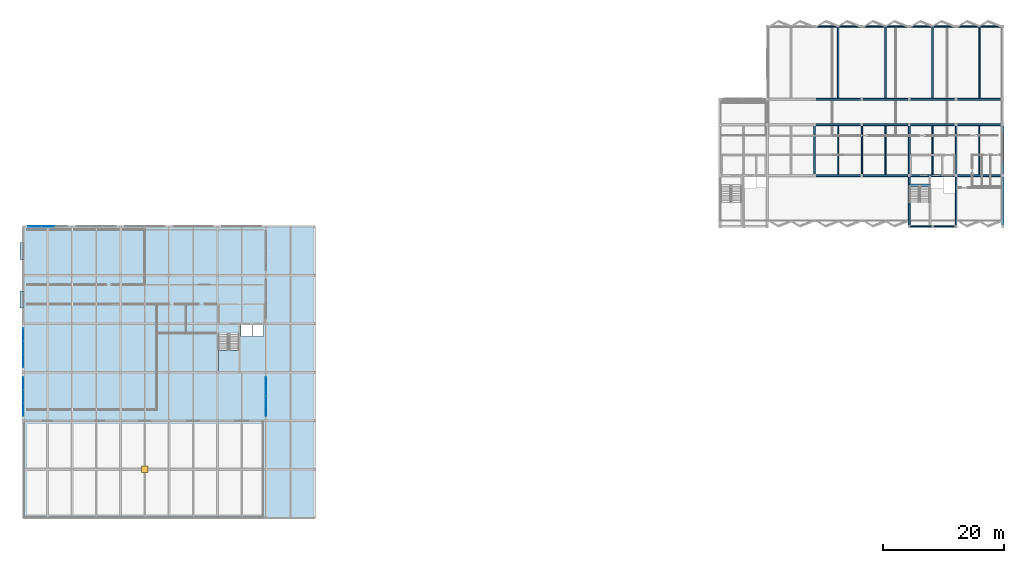
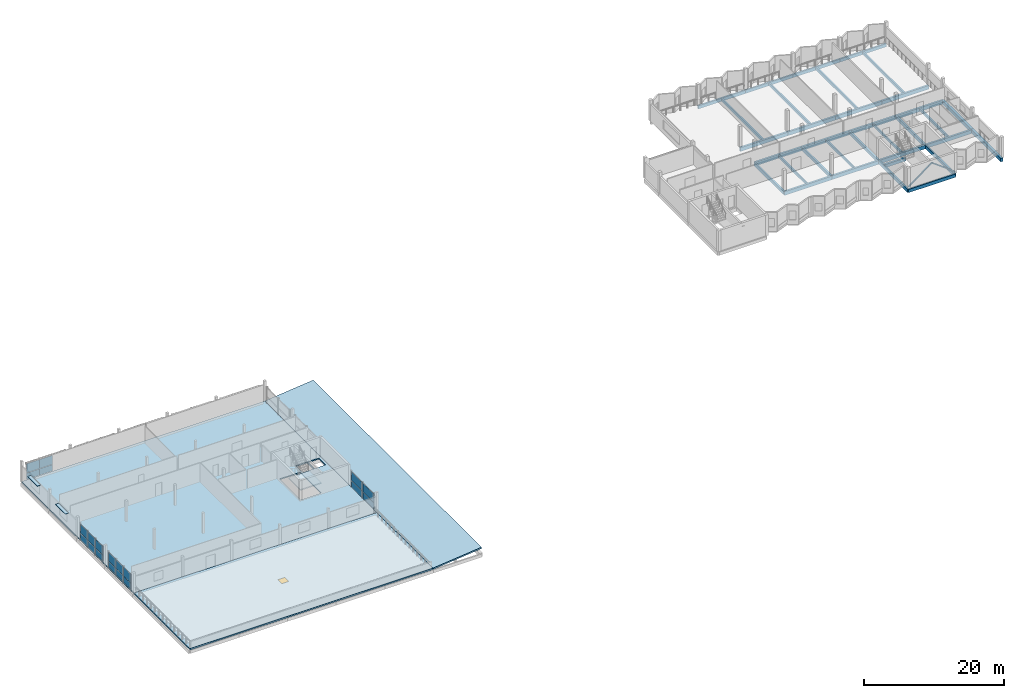
# One storey, part 11 of 25: 34 beams, 22 plates, 4 slabs, 2 members, 1 door, 1 opening, 5 elements without a shape of their own.
"""IFC4 building model written with IfcOpenShell, lengths in metres."""

from ifc_helpers import new_model, si_unit, direction, frame, origin, origin_2d, place, context, subcontext, project, spatial, polyline, rectangle, hollow_rectangle, outline, extrude, material, layer, layer_set, material_profile, profile_set, type_object, element, fill, aggregate, save


model = new_model("IFC4")

# Units and contexts
model_context = context("Model", 3, precision=1e-05, world=origin(), true_north=direction((0.0, 1.0)))
body_context = subcontext(model_context, "Body", "Model", "MODEL_VIEW")
ifc_project = project(units=[si_unit("LENGTHUNIT", "METRE"), si_unit("AREAUNIT", "SQUARE_METRE"), si_unit("VOLUMEUNIT", "CUBIC_METRE"), si_unit("PLANEANGLEUNIT", "RADIAN"), si_unit("MASSUNIT", "GRAM", prefix="KILO")], contexts=[model_context])

# Site, building, storey
site_placement = place(None, origin())
site = spatial("IfcSite", under=ifc_project, at=site_placement, CompositionType="ELEMENT")
building_placement = place(site_placement, origin())
building = spatial("IfcBuilding", under=site, at=building_placement, Name="Vharandega Faculty of Natural Sciences", CompositionType="ELEMENT")
storey_placement = place(building_placement, frame((0.0, 0.0, 25.199951171875)))
storey = spatial("IfcBuildingStorey", under=building, at=storey_placement, Name="L06", CompositionType="ELEMENT", Elevation=25.199951171875)

# Beams
ifc_material_1 = material(Name="Glulam GL28h", Category="wood")
ifc_material_profile_1 = material_profile(ifc_material_1, rectangle(XDim=0.280029296875, YDim=0.56005859375, at=origin_2d()), Name="GL28h 280x560")
ifc_profile_set_1 = profile_set([ifc_material_profile_1], Name="Glulam GL28h")
beam_type_1 = type_object("IfcBeamType", Name="Glulam Floor Beam 280x560", PredefinedType="BEAM", material=ifc_profile_set_1)
for number, where, z_axis, x_axis, name in (
    (1, (130.39990234375, 72.39990234375, -0.5), (0.0, 1.0, 0.0), (-1.0, 0.0, 0.0), "Beam L06 17/K-L"),
    (2, (138.199951171875, 72.39990234375, -0.5), (0.0, 1.0, 0.0), (-1.0, 0.0, 0.0), "Beam L06 18/K-L"),
):
    element("IfcBeam", number, at=place(storey_placement, frame(where, z_axis=z_axis, x_axis=x_axis)), inside=storey, type_object=beam_type_1, Name=name, PredefinedType="BEAM", context=body_context, shape_type="SweptSolid", body=[
        extrude(rectangle(XDim=0.280029296875, YDim=0.56005859375, at=origin_2d()), origin(), (0.0, 0.0, 1.0), 8.400146484375),
    ])
beam_1_placement = place(storey_placement, frame((146.0, 64.0, -0.5), z_axis=(0.0, 1.0, 0.0), x_axis=(-1.0, 0.0, 0.0)))
element("IfcBeam", 3, at=beam_1_placement, inside=storey, type_object=beam_type_1, Name="Beam L06 19/J-K", PredefinedType="BEAM", context=body_context, shape_type="SweptSolid", body=[
    extrude(rectangle(XDim=0.280029296875, YDim=0.56005859375, at=origin_2d()), origin(), (0.0, 0.0, 1.0), 8.39990234375),
])
beam_2_placement = place(storey_placement, frame((146.0, 72.39990234375, -0.5), z_axis=(0.0, 1.0, 0.0), x_axis=(-1.0, 0.0, 0.0)))
element("IfcBeam", 4, at=beam_2_placement, inside=storey, type_object=beam_type_1, Name="Beam L06 19/K-L", PredefinedType="BEAM", context=body_context, shape_type="SweptSolid", body=[
    extrude(rectangle(XDim=0.280029296875, YDim=0.56005859375, at=origin_2d()), origin(), (0.0, 0.0, 1.0), 8.400146484375),
])
beam_3_placement = place(storey_placement, frame((153.699951171875, 64.0, -0.5), z_axis=(0.0, 1.0, 0.0), x_axis=(-1.0, 0.0, 0.0)))
element("IfcBeam", 5, at=beam_3_placement, inside=storey, type_object=beam_type_1, Name="Beam L06 20/J-K", PredefinedType="BEAM", context=body_context, shape_type="SweptSolid", body=[
    extrude(rectangle(XDim=0.280029296875, YDim=0.56005859375, at=origin_2d()), origin(), (0.0, 0.0, 1.0), 8.39990234375),
])
beam_4_placement = place(storey_placement, frame((153.699951171875, 72.39990234375, -0.5), z_axis=(0.0, 1.0, 0.0), x_axis=(-1.0, 0.0, 0.0)))
element("IfcBeam", 6, at=beam_4_placement, inside=storey, type_object=beam_type_1, Name="Beam L06 20/K-L", PredefinedType="BEAM", context=body_context, shape_type="SweptSolid", body=[
    extrude(rectangle(XDim=0.280029296875, YDim=0.56005859375, at=origin_2d()), origin(), (0.0, 0.0, 1.0), 8.400146484375),
])
ifc_material_2 = material(Name="Glulam GL28h", Category="wood")
ifc_material_profile_2 = material_profile(ifc_material_2, rectangle(XDim=0.320068359375, YDim=0.639892578125, at=origin_2d()), Name="GL28h 320x640")
ifc_profile_set_2 = profile_set([ifc_material_profile_2], Name="Glulam GL28h")
beam_type_2 = type_object("IfcBeamType", Name="Glulam Floor Beam 320x640", PredefinedType="BEAM", material=ifc_profile_set_2)
for number, where, z_axis, x_axis, name in (
    (7, (130.39990234375, 72.39990234375, -0.5400390625), (1.0, 0.0, 0.0), (0.0, 1.0, 0.0), "Beam L06 K/17-18"),
    (8, (138.199951171875, 72.39990234375, -0.5400390625), (1.0, 0.0, 0.0), (0.0, 1.0, 0.0), "Beam L06 K/18-19"),
):
    element("IfcBeam", number, at=place(storey_placement, frame(where, z_axis=z_axis, x_axis=x_axis)), inside=storey, type_object=beam_type_2, Name=name, PredefinedType="BEAM", context=body_context, shape_type="SweptSolid", body=[
        extrude(rectangle(XDim=0.320068359375, YDim=0.639892578125, at=origin_2d()), origin(), (0.0, 0.0, 1.0), 7.800048828125),
    ])
for number, where, z_axis, x_axis, name in (
    (9, (146.0, 72.39990234375, -0.5400390625), (1.0, 0.0, 0.0), (0.0, 1.0, 0.0), "Beam L06 K/19-20"),
    (10, (153.699951171875, 72.39990234375, -0.5400390625), (1.0, 0.0, 0.0), (0.0, 1.0, 0.0), "Beam L06 K/20-21"),
):
    element("IfcBeam", number, at=place(storey_placement, frame(where, z_axis=z_axis, x_axis=x_axis)), inside=storey, type_object=beam_type_2, Name=name, PredefinedType="BEAM", context=body_context, shape_type="SweptSolid", body=[
        extrude(rectangle(XDim=0.320068359375, YDim=0.639892578125, at=origin_2d()), origin(), (0.0, 0.0, 1.0), 7.699951171875),
    ])
for number, where, z_axis, x_axis, name in (
    (11, (130.39990234375, 80.800048828125, -0.5400390625), (1.0, 0.0, 0.0), (0.0, 1.0, 0.0), "Beam L06 L/17-18"),
    (12, (138.199951171875, 80.800048828125, -0.5400390625), (1.0, 0.0, 0.0), (0.0, 1.0, 0.0), "Beam L06 L/18-19"),
):
    element("IfcBeam", number, at=place(storey_placement, frame(where, z_axis=z_axis, x_axis=x_axis)), inside=storey, type_object=beam_type_2, Name=name, PredefinedType="BEAM", context=body_context, shape_type="SweptSolid", body=[
        extrude(rectangle(XDim=0.320068359375, YDim=0.639892578125, at=origin_2d()), origin(), (0.0, 0.0, 1.0), 7.800048828125),
    ])
for number, where, z_axis, x_axis, name in (
    (13, (146.0, 80.800048828125, -0.5400390625), (1.0, 0.0, 0.0), (0.0, 1.0, 0.0), "Beam L06 L/19-20"),
    (14, (153.699951171875, 80.800048828125, -0.5400390625), (1.0, 0.0, 0.0), (0.0, 1.0, 0.0), "Beam L06 L/20-21"),
):
    element("IfcBeam", number, at=place(storey_placement, frame(where, z_axis=z_axis, x_axis=x_axis)), inside=storey, type_object=beam_type_2, Name=name, PredefinedType="BEAM", context=body_context, shape_type="SweptSolid", body=[
        extrude(rectangle(XDim=0.320068359375, YDim=0.639892578125, at=origin_2d()), origin(), (0.0, 0.0, 1.0), 7.699951171875),
    ])
for number, where, z_axis, x_axis, name in (
    (15, (130.39990234375, 85.0, -0.5400390625), (1.0, 0.0, 0.0), (0.0, 1.0, 0.0), "Beam L06 M/17-18"),
    (16, (138.199951171875, 85.0, -0.5400390625), (1.0, 0.0, 0.0), (0.0, 1.0, 0.0), "Beam L06 M/18-19"),
):
    element("IfcBeam", number, at=place(storey_placement, frame(where, z_axis=z_axis, x_axis=x_axis)), inside=storey, type_object=beam_type_2, Name=name, PredefinedType="BEAM", context=body_context, shape_type="SweptSolid", body=[
        extrude(rectangle(XDim=0.320068359375, YDim=0.639892578125, at=origin_2d()), origin(), (0.0, 0.0, 1.0), 7.800048828125),
    ])
for number, where, z_axis, x_axis, name in (
    (17, (146.0, 85.0, -0.5400390625), (1.0, 0.0, 0.0), (0.0, 1.0, 0.0), "Beam L06 M/19-20"),
    (18, (153.699951171875, 85.0, -0.5400390625), (1.0, 0.0, 0.0), (0.0, 1.0, 0.0), "Beam L06 M/20-21"),
):
    element("IfcBeam", number, at=place(storey_placement, frame(where, z_axis=z_axis, x_axis=x_axis)), inside=storey, type_object=beam_type_2, Name=name, PredefinedType="BEAM", context=body_context, shape_type="SweptSolid", body=[
        extrude(rectangle(XDim=0.320068359375, YDim=0.639892578125, at=origin_2d()), origin(), (0.0, 0.0, 1.0), 7.699951171875),
    ])
ifc_material_3 = material(Name="Glulam GL28h", Category="wood")
ifc_material_profile_3 = material_profile(ifc_material_3, rectangle(XDim=0.219970703125, YDim=0.43994140625, at=origin_2d()), Name="GL28h 220x440")
ifc_profile_set_3 = profile_set([ifc_material_profile_3], Name="Glulam GL28h")
beam_type_3 = type_object("IfcBeamType", Name="Glulam Secondary Joist 220x440", PredefinedType="JOIST", material=ifc_profile_set_3)
for number, where, z_axis, x_axis, name in (
    (19, (134.300048828125, 72.56005859375, -0.43994140625), (0.0, 1.0, 0.0), (-1.0, 0.0, 0.0), "Secondary Joist L06 17-18/K-L"),
    (20, (142.10009765625, 72.56005859375, -0.43994140625), (0.0, 1.0, 0.0), (-1.0, 0.0, 0.0), "Secondary Joist L06 18-19/K-L"),
    (21, (149.85009765625, 72.56005859375, -0.43994140625), (0.0, 1.0, 0.0), (-1.0, 0.0, 0.0), "Secondary Joist L06 19-20/K-L"),
    (22, (157.550048828125, 72.56005859375, -0.43994140625), (0.0, 1.0, 0.0), (-1.0, 0.0, 0.0), "Secondary Joist L06 20-21/K-L"),
):
    element("IfcBeam", number, at=place(storey_placement, frame(where, z_axis=z_axis, x_axis=x_axis)), inside=storey, type_object=beam_type_3, Name=name, PredefinedType="JOIST", context=body_context, shape_type="SweptSolid", body=[
        extrude(rectangle(XDim=0.219970703125, YDim=0.43994140625, at=origin_2d()), origin(), (0.0, 0.0, 1.0), 8.079833984375),
    ])
ifc_material_4 = material(Name="Glulam GL28h", Category="wood")
ifc_material_profile_4 = material_profile(ifc_material_4, rectangle(XDim=0.239990234375, YDim=0.47998046875, at=origin_2d()), Name="GL28h 240x480")
ifc_profile_set_4 = profile_set([ifc_material_profile_4], Name="Glulam GL28h")
beam_type_4 = type_object("IfcBeamType", Name="Glulam Secondary Joist 240x480", PredefinedType="JOIST", material=ifc_profile_set_4)
for number, where, z_axis, x_axis, name in (
    (23, (134.300048828125, 85.159912109375, -0.4599609375), (0.0, 1.0, 0.0), (-1.0, 0.0, 0.0), "Secondary Joist L06 17-18/M-N"),
    (24, (142.10009765625, 85.159912109375, -0.4599609375), (0.0, 1.0, 0.0), (-1.0, 0.0, 0.0), "Secondary Joist L06 18-19/M-N"),
    (25, (149.85009765625, 85.159912109375, -0.4599609375), (0.0, 1.0, 0.0), (-1.0, 0.0, 0.0), "Secondary Joist L06 19-20/M-N"),
    (26, (157.550048828125, 85.159912109375, -0.4599609375), (0.0, 1.0, 0.0), (-1.0, 0.0, 0.0), "Secondary Joist L06 20-21/M-N"),
):
    element("IfcBeam", number, at=place(storey_placement, frame(where, z_axis=z_axis, x_axis=x_axis)), inside=storey, type_object=beam_type_4, Name=name, PredefinedType="JOIST", context=body_context, shape_type="SweptSolid", body=[
        extrude(rectangle(XDim=0.239990234375, YDim=0.47998046875, at=origin_2d()), origin(), (0.0, 0.0, 1.0), 11.719970703125),
    ])
ifc_material_5 = material(Name="Glulam GL28h", Category="wood")
ifc_material_profile_5 = material_profile(ifc_material_5, rectangle(XDim=0.239990234375, YDim=0.56005859375, at=origin_2d()), Name="GL28h 240x560")
ifc_profile_set_5 = profile_set([ifc_material_profile_5], Name="Glulam GL28h")
beam_type_5 = type_object("IfcBeamType", Name="Glulam Spandrel Edge Beam 240x560", PredefinedType="SPANDREL", material=ifc_profile_set_5)
beam_5_placement = place(storey_placement, frame((146.0, 64.0, -0.5), z_axis=(1.0, 0.0, 0.0), x_axis=(0.0, 1.0, 0.0)))
element("IfcBeam", 27, at=beam_5_placement, inside=storey, type_object=beam_type_5, Name="Beam L06 J/19-20", PredefinedType="SPANDREL", context=body_context, shape_type="SweptSolid", body=[
    extrude(rectangle(XDim=0.239990234375, YDim=0.56005859375, at=origin_2d()), origin(), (0.0, 0.0, 1.0), 7.699951171875),
])
for number, where, z_axis, x_axis, name in (
    (28, (130.39990234375, 97.0, -0.5), (1.0, 0.0, 0.0), (0.0, 1.0, 0.0), "Beam L06 N/17-18"),
    (29, (138.199951171875, 97.0, -0.5), (1.0, 0.0, 0.0), (0.0, 1.0, 0.0), "Beam L06 N/18-19"),
):
    element("IfcBeam", number, at=place(storey_placement, frame(where, z_axis=z_axis, x_axis=x_axis)), inside=storey, type_object=beam_type_5, Name=name, PredefinedType="SPANDREL", context=body_context, shape_type="SweptSolid", body=[
        extrude(rectangle(XDim=0.239990234375, YDim=0.56005859375, at=origin_2d()), origin(), (0.0, 0.0, 1.0), 7.800048828125),
    ])
for number, where, z_axis, x_axis, name in (
    (30, (146.0, 97.0, -0.5), (1.0, 0.0, 0.0), (0.0, 1.0, 0.0), "Beam L06 N/19-20"),
    (31, (153.699951171875, 97.0, -0.5), (1.0, 0.0, 0.0), (0.0, 1.0, 0.0), "Beam L06 N/20-21"),
):
    element("IfcBeam", number, at=place(storey_placement, frame(where, z_axis=z_axis, x_axis=x_axis)), inside=storey, type_object=beam_type_5, Name=name, PredefinedType="SPANDREL", context=body_context, shape_type="SweptSolid", body=[
        extrude(rectangle(XDim=0.239990234375, YDim=0.56005859375, at=origin_2d()), origin(), (0.0, 0.0, 1.0), 7.699951171875),
    ])
ifc_material_6 = material(Name="Glulam GL32h", Category="wood")
ifc_material_profile_6 = material_profile(ifc_material_6, rectangle(XDim=0.39990234375, YDim=0.60009765625, at=origin_2d()), Name="GL32h 400x600")
ifc_profile_set_6 = profile_set([ifc_material_profile_6], Name="Glulam GL32h")
beam_type_6 = type_object("IfcBeamType", Name="Glulam Spine Girder 400x600", PredefinedType="BEAM", material=ifc_profile_set_6)
beam_6_placement = place(storey_placement, frame((161.39990234375, 64.0, -0.52001953125), z_axis=(0.0, 1.0, 0.0), x_axis=(-1.0, 0.0, 0.0)))
element("IfcBeam", 32, at=beam_6_placement, inside=storey, type_object=beam_type_6, Name="Beam L06 21/J-K", PredefinedType="BEAM", context=body_context, shape_type="SweptSolid", body=[
    extrude(rectangle(XDim=0.39990234375, YDim=0.60009765625, at=origin_2d()), origin(), (0.0, 0.0, 1.0), 8.39990234375),
])
beam_7_placement = place(storey_placement, frame((161.39990234375, 72.39990234375, -0.52001953125), z_axis=(0.0, 1.0, 0.0), x_axis=(-1.0, 0.0, 0.0)))
element("IfcBeam", 33, at=beam_7_placement, inside=storey, type_object=beam_type_6, Name="Beam L06 21/K-L", PredefinedType="BEAM", context=body_context, shape_type="SweptSolid", body=[
    extrude(rectangle(XDim=0.39990234375, YDim=0.60009765625, at=origin_2d()), origin(), (0.0, 0.0, 1.0), 8.400146484375),
])
ifc_material_7 = material(Name="Concrete C40/50", Category="concrete")
ifc_material_profile_7 = material_profile(ifc_material_7, rectangle(XDim=0.35009765625, YDim=0.550048828125, at=origin_2d()), Name="RC 350x550")
ifc_profile_set_7 = profile_set([ifc_material_profile_7], Name="Concrete C40/50")
beam_type_7 = type_object("IfcBeamType", Name="Stair Header Trimmer Beam 350x550", PredefinedType="BEAM", material=ifc_profile_set_7)
beam_8_placement = place(storey_placement, frame((146.0, 70.800048828125, -0.27490234375), z_axis=(1.0, 0.0, 0.0), x_axis=(0.0, 1.0, 0.0)))
element("IfcBeam", 34, at=beam_8_placement, inside=storey, type_object=beam_type_7, Name="Stair Landing Trimmer Beam C2 L06", PredefinedType="BEAM", context=body_context, shape_type="SweptSolid", body=[
    extrude(rectangle(XDim=0.35009765625, YDim=0.550048828125, at=origin_2d()), origin(), (0.0, 0.0, 1.0), 3.4599609375),
])

# Members
ifc_material_8 = material(Name="Steel S355", Category="steel")
ifc_material_profile_8 = material_profile(ifc_material_8, hollow_rectangle(XDim=0.179931640625, YDim=0.179931640625, WallThickness=0.010009765625, at=origin_2d()), Name="SHS 180x180x10")
ifc_profile_set_8 = profile_set([ifc_material_profile_8], Name="Steel S355")
member_type = type_object("IfcMemberType", Name="Timber Frame Diagonal Brace SHS 180", PredefinedType="BRACE", material=ifc_profile_set_8)
member_1_placement = place(storey_placement, frame((146.0, 64.0, 0.150146484375), z_axis=(0.800767106534, 0.0, 0.598975826802), x_axis=(0.0, 1.0, 0.0)))
element("IfcMember", 35, at=member_1_placement, inside=storey, type_object=member_type, Name="Chevron Brace J2 L06-1", PredefinedType="BRACE", context=body_context, shape_type="SweptSolid", body=[
    extrude(hollow_rectangle(XDim=0.179931640625, YDim=0.179931640625, WallThickness=0.010009765625, at=origin_2d()), origin(), (0.0, 0.0, 1.0), 4.80810546875),
])
member_2_placement = place(storey_placement, frame((153.699951171875, 64.0, 0.150146484375), z_axis=(-0.80074888774, 0.0, 0.599000182623), x_axis=(0.0, -1.0, 0.0)))
element("IfcMember", 36, at=member_2_placement, inside=storey, type_object=member_type, Name="Chevron Brace J2 L06-2", PredefinedType="BRACE", context=body_context, shape_type="SweptSolid", body=[
    extrude(hollow_rectangle(XDim=0.179931640625, YDim=0.179931640625, WallThickness=0.010009765625, at=origin_2d()), origin(), (0.0, 0.0, 1.0), 4.807861328125),
])

# Curtain wall, plates
ifc_material_9 = material(Name="Aluminium and solar-control glass curtain wall", Category="aluminium")
curtain_wall_type_1 = type_object("IfcCurtainWallType", Name="Unitised Curtain Wall System CW-20", PredefinedType="NOTDEFINED", material=ifc_material_9)
curtain_wall_1_placement = place(storey_placement, origin())
curtain_wall_1 = element("IfcCurtainWall", 37, at=curtain_wall_1_placement, inside=storey, type_object=curtain_wall_type_1, Name="Curtain Wall CW-L06-215", PredefinedType="NOTDEFINED")
ifc_material_10 = material(Name="Double-glazed low-E solar glass", Category="glass")
ifc_layer_1 = layer(ifc_material_10, 0.028076171875, Name="Double-glazed low-E solar glass")
ifc_layer_set_1 = layer_set([ifc_layer_1], Name="Double-glazed low-E solar glass")
plate_type_1 = type_object("IfcPlateType", Name="CW Solar Vision Panel 28mm", PredefinedType="CURTAIN_PANEL", material=ifc_layer_set_1)
plate_1_placement = place(storey_placement, frame((0.0, 33.841552734375, 0.06005859375), z_axis=(0.0, 0.0, 1.0), x_axis=(0.0, 1.0, 0.0)))
plate_1 = element("IfcPlate", 38, at=plate_1_placement, type_object=plate_type_1, Name="CW-20 panel 1.1", PredefinedType="CURTAIN_PANEL", context=body_context, shape_type="SweptSolid", body=[
    extrude(rectangle(XDim=2.083251953125, YDim=0.028076171875, at=origin_2d()), origin(), (0.0, 0.0, 1.0), 1.0859375),
])
plate_2_placement = place(storey_placement, frame((0.0, 33.841552734375, 1.2060546875), z_axis=(0.0, 0.0, 1.0), x_axis=(0.0, 1.0, 0.0)))
plate_2 = element("IfcPlate", 39, at=plate_2_placement, type_object=plate_type_1, Name="CW-20 panel 1.2", PredefinedType="CURTAIN_PANEL", context=body_context, shape_type="SweptSolid", body=[
    extrude(rectangle(XDim=2.083251953125, YDim=0.028076171875, at=origin_2d()), origin(), (0.0, 0.0, 1.0), 1.533935546875),
])
plate_3_placement = place(storey_placement, frame((0.0, 36.0, 0.06005859375), z_axis=(0.0, 0.0, 1.0), x_axis=(0.0, 1.0, 0.0)))
plate_3 = element("IfcPlate", 40, at=plate_3_placement, type_object=plate_type_1, Name="CW-20 panel 2.1", PredefinedType="CURTAIN_PANEL", context=body_context, shape_type="SweptSolid", body=[
    extrude(rectangle(XDim=2.11328125, YDim=0.028076171875, at=origin_2d()), origin(), (0.0, 0.0, 1.0), 1.0859375),
])
plate_4_placement = place(storey_placement, frame((0.0, 36.0, 1.2060546875), z_axis=(0.0, 0.0, 1.0), x_axis=(0.0, 1.0, 0.0)))
plate_4 = element("IfcPlate", 41, at=plate_4_placement, type_object=plate_type_1, Name="CW-20 panel 2.2", PredefinedType="CURTAIN_PANEL", context=body_context, shape_type="SweptSolid", body=[
    extrude(rectangle(XDim=2.11328125, YDim=0.028076171875, at=origin_2d()), origin(), (0.0, 0.0, 1.0), 1.533935546875),
])
plate_5_placement = place(storey_placement, frame((0.0, 38.158447265625, 0.06005859375), z_axis=(0.0, 0.0, 1.0), x_axis=(0.0, 1.0, 0.0)))
plate_5 = element("IfcPlate", 42, at=plate_5_placement, type_object=plate_type_1, Name="CW-20 panel 3.1", PredefinedType="CURTAIN_PANEL", context=body_context, shape_type="SweptSolid", body=[
    extrude(rectangle(XDim=2.083251953125, YDim=0.028076171875, at=origin_2d()), origin(), (0.0, 0.0, 1.0), 1.0859375),
])
plate_6_placement = place(storey_placement, frame((0.0, 38.158447265625, 1.2060546875), z_axis=(0.0, 0.0, 1.0), x_axis=(0.0, 1.0, 0.0)))
plate_6 = element("IfcPlate", 43, at=plate_6_placement, type_object=plate_type_1, Name="CW-20 panel 3.2", PredefinedType="CURTAIN_PANEL", context=body_context, shape_type="SweptSolid", body=[
    extrude(rectangle(XDim=2.083251953125, YDim=0.028076171875, at=origin_2d()), origin(), (0.0, 0.0, 1.0), 1.533935546875),
])
aggregate(curtain_wall_1, [plate_1, plate_2, plate_3, plate_4, plate_5, plate_6])

ifc_material_11 = material(Name="Aluminium and solar-control glass curtain wall", Category="aluminium")
curtain_wall_type_2 = type_object("IfcCurtainWallType", Name="Unitised Curtain Wall System CW-21", PredefinedType="NOTDEFINED", material=ifc_material_11)
curtain_wall_2_placement = place(storey_placement, origin())
curtain_wall_2 = element("IfcCurtainWall", 44, at=curtain_wall_2_placement, inside=storey, type_object=curtain_wall_type_2, Name="Curtain Wall CW-L06-216", PredefinedType="NOTDEFINED")
plate_7_placement = place(storey_placement, frame((0.0, 41.841552734375, 0.06005859375), z_axis=(0.0, 0.0, 1.0), x_axis=(0.0, 1.0, 0.0)))
plate_7 = element("IfcPlate", 45, at=plate_7_placement, type_object=plate_type_1, Name="CW-21 panel 1.1", PredefinedType="CURTAIN_PANEL", context=body_context, shape_type="SweptSolid", body=[
    extrude(rectangle(XDim=2.083251953125, YDim=0.028076171875, at=origin_2d()), origin(), (0.0, 0.0, 1.0), 1.0859375),
])
plate_8_placement = place(storey_placement, frame((0.0, 41.841552734375, 1.2060546875), z_axis=(0.0, 0.0, 1.0), x_axis=(0.0, 1.0, 0.0)))
plate_8 = element("IfcPlate", 46, at=plate_8_placement, type_object=plate_type_1, Name="CW-21 panel 1.2", PredefinedType="CURTAIN_PANEL", context=body_context, shape_type="SweptSolid", body=[
    extrude(rectangle(XDim=2.083251953125, YDim=0.028076171875, at=origin_2d()), origin(), (0.0, 0.0, 1.0), 1.533935546875),
])
plate_9_placement = place(storey_placement, frame((0.0, 44.0, 0.06005859375), z_axis=(0.0, 0.0, 1.0), x_axis=(0.0, 1.0, 0.0)))
plate_9 = element("IfcPlate", 47, at=plate_9_placement, type_object=plate_type_1, Name="CW-21 panel 2.1", PredefinedType="CURTAIN_PANEL", context=body_context, shape_type="SweptSolid", body=[
    extrude(rectangle(XDim=2.11328125, YDim=0.028076171875, at=origin_2d()), origin(), (0.0, 0.0, 1.0), 1.0859375),
])
plate_10_placement = place(storey_placement, frame((0.0, 44.0, 1.2060546875), z_axis=(0.0, 0.0, 1.0), x_axis=(0.0, 1.0, 0.0)))
plate_10 = element("IfcPlate", 48, at=plate_10_placement, type_object=plate_type_1, Name="CW-21 panel 2.2", PredefinedType="CURTAIN_PANEL", context=body_context, shape_type="SweptSolid", body=[
    extrude(rectangle(XDim=2.11328125, YDim=0.028076171875, at=origin_2d()), origin(), (0.0, 0.0, 1.0), 1.533935546875),
])
plate_11_placement = place(storey_placement, frame((0.0, 46.158447265625, 0.06005859375), z_axis=(0.0, 0.0, 1.0), x_axis=(0.0, 1.0, 0.0)))
plate_11 = element("IfcPlate", 49, at=plate_11_placement, type_object=plate_type_1, Name="CW-21 panel 3.1", PredefinedType="CURTAIN_PANEL", context=body_context, shape_type="SweptSolid", body=[
    extrude(rectangle(XDim=2.083251953125, YDim=0.028076171875, at=origin_2d()), origin(), (0.0, 0.0, 1.0), 1.0859375),
])
plate_12_placement = place(storey_placement, frame((0.0, 46.158447265625, 1.2060546875), z_axis=(0.0, 0.0, 1.0), x_axis=(0.0, 1.0, 0.0)))
plate_12 = element("IfcPlate", 50, at=plate_12_placement, type_object=plate_type_1, Name="CW-21 panel 3.2", PredefinedType="CURTAIN_PANEL", context=body_context, shape_type="SweptSolid", body=[
    extrude(rectangle(XDim=2.083251953125, YDim=0.028076171875, at=origin_2d()), origin(), (0.0, 0.0, 1.0), 1.533935546875),
])
aggregate(curtain_wall_2, [plate_7, plate_8, plate_9, plate_10, plate_11, plate_12])

ifc_material_12 = material(Name="Aluminium and solar-control glass curtain wall", Category="aluminium")
curtain_wall_type_3 = type_object("IfcCurtainWallType", Name="Unitised Curtain Wall System CW-22", PredefinedType="NOTDEFINED", material=ifc_material_12)
curtain_wall_3_placement = place(storey_placement, origin())
curtain_wall_3 = element("IfcCurtainWall", 51, at=curtain_wall_3_placement, inside=storey, type_object=curtain_wall_type_3, Name="Curtain Wall CW-L06-217", PredefinedType="NOTDEFINED")
plate_13_placement = place(storey_placement, frame((40.0, 34.385009765625, 0.06005859375), z_axis=(0.0, 0.0, 1.0), x_axis=(0.0, 1.0, 0.0)))
plate_13 = element("IfcPlate", 52, at=plate_13_placement, type_object=plate_type_1, Name="CW-22 panel 1.1", PredefinedType="CURTAIN_PANEL", context=body_context, shape_type="SweptSolid", body=[
    extrude(rectangle(XDim=3.169921875, YDim=0.028076171875, at=origin_2d()), origin(), (0.0, 0.0, 1.0), 1.0859375),
])
plate_14_placement = place(storey_placement, frame((40.0, 34.385009765625, 1.2060546875), z_axis=(0.0, 0.0, 1.0), x_axis=(0.0, 1.0, 0.0)))
plate_14 = element("IfcPlate", 53, at=plate_14_placement, type_object=plate_type_1, Name="CW-22 panel 1.2", PredefinedType="CURTAIN_PANEL", context=body_context, shape_type="SweptSolid", body=[
    extrude(rectangle(XDim=3.169921875, YDim=0.028076171875, at=origin_2d()), origin(), (0.0, 0.0, 1.0), 1.533935546875),
])
plate_15_placement = place(storey_placement, frame((40.0, 37.614990234375, 0.06005859375), z_axis=(0.0, 0.0, 1.0), x_axis=(0.0, 1.0, 0.0)))
plate_15 = element("IfcPlate", 54, at=plate_15_placement, type_object=plate_type_1, Name="CW-22 panel 2.1", PredefinedType="CURTAIN_PANEL", context=body_context, shape_type="SweptSolid", body=[
    extrude(rectangle(XDim=3.169921875, YDim=0.028076171875, at=origin_2d()), origin(), (0.0, 0.0, 1.0), 1.0859375),
])
plate_16_placement = place(storey_placement, frame((40.0, 37.614990234375, 1.2060546875), z_axis=(0.0, 0.0, 1.0), x_axis=(0.0, 1.0, 0.0)))
plate_16 = element("IfcPlate", 55, at=plate_16_placement, type_object=plate_type_1, Name="CW-22 panel 2.2", PredefinedType="CURTAIN_PANEL", context=body_context, shape_type="SweptSolid", body=[
    extrude(rectangle(XDim=3.169921875, YDim=0.028076171875, at=origin_2d()), origin(), (0.0, 0.0, 1.0), 1.533935546875),
])
aggregate(curtain_wall_3, [plate_13, plate_14, plate_15, plate_16])

ifc_material_13 = material(Name="Aluminium and solar-control glass curtain wall", Category="aluminium")
curtain_wall_type_4 = type_object("IfcCurtainWallType", Name="Unitised Curtain Wall System CW-25", PredefinedType="NOTDEFINED", material=ifc_material_13)
curtain_wall_4_placement = place(storey_placement, origin())
curtain_wall_4 = element("IfcCurtainWall", 56, at=curtain_wall_4_placement, inside=storey, type_object=curtain_wall_type_4, Name="Curtain Wall CW-L06-220", PredefinedType="NOTDEFINED")
plate_17_placement = place(storey_placement, frame((1.841552734375, 64.0, 0.06005859375), z_axis=(0.0, 0.0, 1.0), x_axis=(1.0, 0.0, 0.0)))
plate_17 = element("IfcPlate", 57, at=plate_17_placement, type_object=plate_type_1, Name="CW-25 panel 1.1", PredefinedType="CURTAIN_PANEL", context=body_context, shape_type="SweptSolid", body=[
    extrude(rectangle(XDim=2.083251953125, YDim=0.028076171875, at=origin_2d()), origin(), (0.0, 0.0, 1.0), 1.102783203125),
])
plate_18_placement = place(storey_placement, frame((1.841552734375, 64.0, 1.222900390625), z_axis=(0.0, 0.0, 1.0), x_axis=(1.0, 0.0, 0.0)))
plate_18 = element("IfcPlate", 58, at=plate_18_placement, type_object=plate_type_1, Name="CW-25 panel 1.2", PredefinedType="CURTAIN_PANEL", context=body_context, shape_type="SweptSolid", body=[
    extrude(rectangle(XDim=2.083251953125, YDim=0.028076171875, at=origin_2d()), origin(), (0.0, 0.0, 1.0), 1.55712890625),
])
plate_19_placement = place(storey_placement, frame((4.0, 64.0, 0.06005859375), z_axis=(0.0, 0.0, 1.0), x_axis=(1.0, 0.0, 0.0)))
plate_19 = element("IfcPlate", 59, at=plate_19_placement, type_object=plate_type_1, Name="CW-25 panel 2.1", PredefinedType="CURTAIN_PANEL", context=body_context, shape_type="SweptSolid", body=[
    extrude(rectangle(XDim=2.11328125, YDim=0.028076171875, at=origin_2d()), origin(), (0.0, 0.0, 1.0), 1.102783203125),
])
plate_20_placement = place(storey_placement, frame((4.0, 64.0, 1.222900390625), z_axis=(0.0, 0.0, 1.0), x_axis=(1.0, 0.0, 0.0)))
plate_20 = element("IfcPlate", 60, at=plate_20_placement, type_object=plate_type_1, Name="CW-25 panel 2.2", PredefinedType="CURTAIN_PANEL", context=body_context, shape_type="SweptSolid", body=[
    extrude(rectangle(XDim=2.11328125, YDim=0.028076171875, at=origin_2d()), origin(), (0.0, 0.0, 1.0), 1.55712890625),
])
aggregate(curtain_wall_4, [plate_17, plate_18, plate_19, plate_20])

# Plates
ifc_material_14 = material(Name="Aluminium solar hood sheet", Category="aluminium")
ifc_layer_2 = layer(ifc_material_14, 0.0400390625, Name="Aluminium solar hood sheet")
ifc_layer_set_2 = layer_set([ifc_layer_2], Name="Aluminium solar hood sheet")
plate_type_2 = type_object("IfcPlateType", Name="North Solar Hood Sheet Plate 40", PredefinedType="SHEET", material=ifc_layer_set_2)
for number, where, z_axis, x_axis, name in (
    (61, (-0.280029296875, 52.0, 2.60009765625), (0.0, 0.0, 1.0), (1.0, 0.0, 0.0), "Solar Shading Hood L06 G"),
    (62, (-0.280029296875, 60.0, 2.60009765625), (0.0, 0.0, 1.0), (1.0, 0.0, 0.0), "Solar Shading Hood L06 H"),
):
    element("IfcPlate", number, at=place(storey_placement, frame(where, z_axis=z_axis, x_axis=x_axis)), inside=storey, type_object=plate_type_2, Name=name, PredefinedType="SHEET", context=body_context, shape_type="SweptSolid", body=[
        extrude(rectangle(XDim=0.56005859375, YDim=2.800048828125, at=origin_2d()), origin(), (0.0, 0.0, 1.0), 0.0400390625),
    ])

# Slab
ifc_material_15 = material(Name="Cross-laminated timber CLT7-240", Category="wood")
ifc_layer_3 = layer(ifc_material_15, 0.239990234375, Name="Cross-laminated timber CLT7-240")
ifc_layer_set_3 = layer_set([ifc_layer_3], Name="Cross-laminated timber CLT7-240")
slab_type_1 = type_object("IfcSlabType", Name="ROOF-PITCHED-240", PredefinedType="ROOF", material=ifc_layer_set_3)
slab_1_placement = place(storey_placement, frame((40.0, 16.0, 0.0), z_axis=(-0.104526794788, 0.0, 0.994522070731), x_axis=(0.994522070731, 0.0, 0.104526794788)))
element("IfcSlab", 63, at=slab_1_placement, inside=storey, type_object=slab_type_1, Name="L06 V5 Pitched Roof Slab", PredefinedType="ROOF", context=body_context, shape_type="SweptSolid", body=[
    extrude(outline(polyline([(0.0, 0.0), (8.04406481810736, 0.0), (8.04406481810736, 48.0), (0.0, 48.0), (0.0, 0.0)])), origin(), (0.0, 0.0, -1.0), 0.239990234375),
])

# Slab, opening, door
ifc_material_16 = material(Name="Cross-laminated timber CLT7-240", Category="wood")
ifc_layer_4 = layer(ifc_material_16, 0.239990234375, Name="Cross-laminated timber CLT7-240")
ifc_layer_set_4 = layer_set([ifc_layer_4], Name="Cross-laminated timber CLT7-240")
slab_type_2 = type_object("IfcSlabType", Name="ROOF-TERRACE-240", PredefinedType="ROOF", material=ifc_layer_set_4)
slab_2_placement = place(storey_placement, frame((0.0, 0.0, -0.239990234375)))
slab_2 = element("IfcSlab", 64, at=slab_2_placement, inside=storey, type_object=slab_type_2, Name="L06 V5 Planted Terrace Slab", PredefinedType="ROOF", context=body_context, shape_type="SweptSolid", body=[
    extrude(outline(polyline([(0.0, 16.0), (40.0, 16.0), (40.0, 32.0), (0.0, 32.0), (0.0, 16.0)]), holes=[polyline([(19.449951171875, 23.449951171875), (20.550048828125, 23.449951171875), (20.550048828125, 24.550048828125), (19.449951171875, 24.550048828125), (19.449951171875, 23.449951171875)])]), origin(), (0.0, 0.0, 1.0), 0.239990234375),
])
opening_placement = place(slab_2_placement, frame((20.0, 24.0, 0.0)))
opening = element("IfcOpeningElement", 65, at=opening_placement, cuts=slab_2, Name="Opening TD-R04", PredefinedType="OPENING", context=body_context, shape_type="SweptSolid", body=[
    extrude(rectangle(XDim=1.10009765625, YDim=1.10009765625, at=origin_2d()), origin(), (0.0, 0.0, 1.0), 0.239990234375),
])
ifc_material_17 = material(Name="Thermally broken glazed aluminium door", Category="aluminium")
door_type = type_object("IfcDoorType", Name="ROOF-ACCESS-TRAPDOOR-1100x1100", OperationType="SINGLE_SWING_LEFT", PredefinedType="TRAPDOOR", material=ifc_material_17)
door_placement = place(opening_placement, frame((0.0, 0.0, 0.18994140625)))
door = element("IfcDoor", 66, at=door_placement, inside=storey, type_object=door_type, Name="Roof Access Trapdoor TD-R04", OperationType="SINGLE_SWING_LEFT", OverallHeight=1.10009765625, OverallWidth=1.10009765625, PredefinedType="TRAPDOOR", context=body_context, shape_type="SweptSolid", body=[
    extrude(rectangle(XDim=1.10009765625, YDim=1.10009765625, at=origin_2d()), origin(), (0.0, 0.0, 1.0), 0.050048828125),
])
fill(opening, door)

# Slab
ifc_material_18 = material(Name="Cross-laminated timber CLT5-180", Category="wood")
ifc_layer_5 = layer(ifc_material_18, 0.199951171875, Name="Cross-laminated timber CLT5-180")
ifc_layer_set_5 = layer_set([ifc_layer_5], Name="Cross-laminated timber CLT5-180")
slab_type_3 = type_object("IfcSlabType", Name="SLAB-CLT-200", PredefinedType="FLOOR", material=ifc_layer_set_5)
slab_3_placement = place(storey_placement, frame((0.0, 0.0, -0.199951171875)))
element("IfcSlab", 67, at=slab_3_placement, inside=storey, type_object=slab_type_3, Name="L06 V5 Floor Slab", PredefinedType="FLOOR", context=body_context, shape_type="SweptSolid", body=[
    extrude(outline(polyline([(0.0, 32.0), (40.0, 32.0), (40.0, 64.0), (0.0, 64.0), (0.0, 32.0)]), holes=[polyline([(32.139892578125, 46.14501953125), (32.139892578125, 40.139892578125), (35.56005859375, 40.139892578125), (35.56005859375, 46.14501953125), (32.139892578125, 46.14501953125)]), polyline([(35.85009765625, 45.89990234375), (37.64990234375, 45.89990234375), (37.64990234375, 47.820068359375), (35.85009765625, 47.820068359375), (35.85009765625, 45.89990234375)]), polyline([(37.800048828125, 45.89990234375), (39.60009765625, 45.89990234375), (39.60009765625, 47.820068359375), (37.800048828125, 47.820068359375), (37.800048828125, 45.89990234375)])]), origin(), (0.0, 0.0, 1.0), 0.199951171875),
])

# Stair, slab
ifc_material_19 = material(Name="Concrete C40/50", Category="concrete")
stair_type = type_object("IfcStairType", Name="Escape Dog-Leg Stair W165 H360", PredefinedType="HALF_TURN_STAIR", material=ifc_material_19)
stair_placement = place(storey_placement, origin())
stair = element("IfcStair", 68, at=stair_placement, inside=storey, type_object=stair_type, Name="L06 Escape Stair ST3", PredefinedType="HALF_TURN_STAIR")
ifc_material_20 = material(Name="Concrete C40/50", Category="concrete")
ifc_layer_6 = layer(ifc_material_20, 0.199951171875, Name="Concrete C40/50")
ifc_layer_set_6 = layer_set([ifc_layer_6], Name="Concrete C40/50")
slab_type_4 = type_object("IfcSlabType", Name="Stair Half-Landing Slab 200", PredefinedType="LANDING", material=ifc_layer_set_6)
slab_4_placement = place(storey_placement, frame((0.0, 0.0, 1.60009765625)))
slab_4 = element("IfcSlab", 69, at=slab_4_placement, type_object=slab_type_4, Name="ST3 landing 1", PredefinedType="LANDING", context=body_context, shape_type="SweptSolid", body=[
    extrude(outline(polyline([(32.139892578125, 43.60009765625), (32.139892578125, 40.139892578125), (35.56005859375, 40.139892578125), (35.56005859375, 43.60009765625), (32.139892578125, 43.60009765625)])), origin(), (0.0, 0.0, 1.0), 0.199951171875),
])
aggregate(stair, [slab_4])

save(model, "model.ifc")
